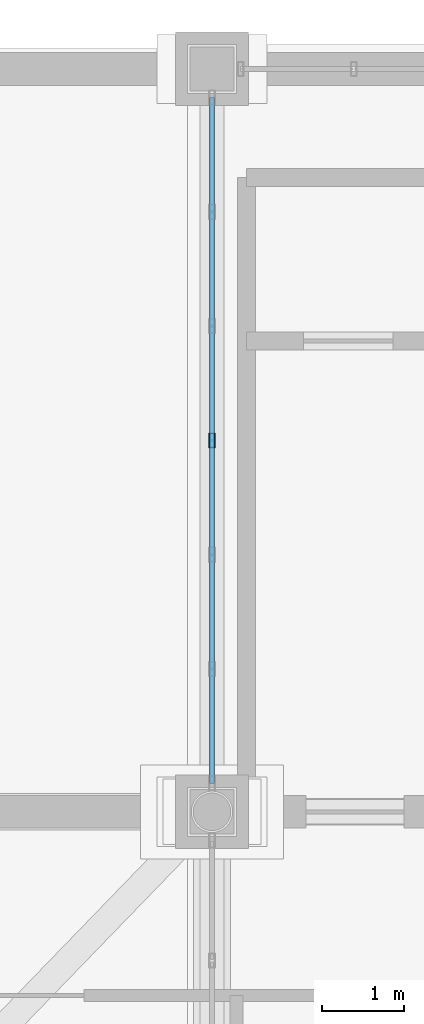
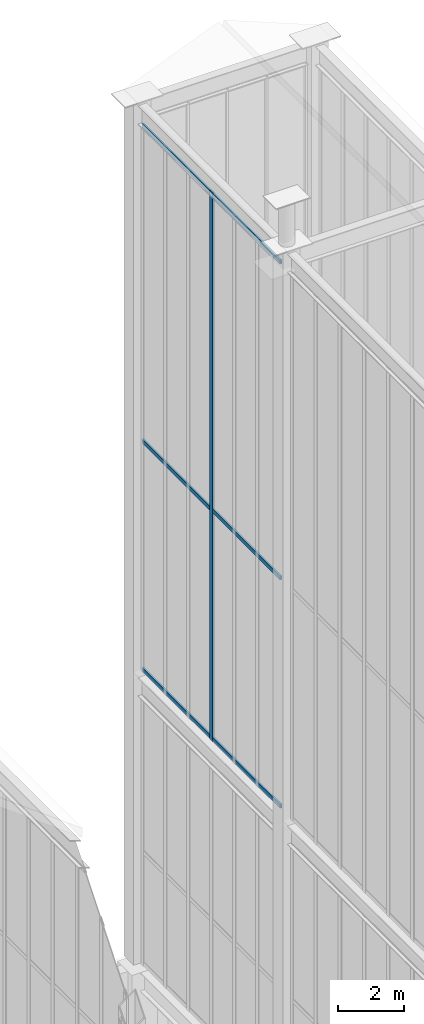
# One storey, part 93 of 135: 4 members, 1 element without a shape of its own.
"""IFC4 building model written with IfcOpenShell, lengths in metres."""

from ifc_helpers import new_model, si_unit, direction, frame, origin, origin_2d, place, context, subcontext, project, spatial, hollow_rectangle, extrude, source, transform, mapped, material, layer, layer_set, material_profile, profile_set, type_object, element, aggregate, save


model = new_model("IFC4")

# Units and contexts
model_context = context("Model", 3, precision=1e-05, world=origin(), true_north=direction((0.0, 1.0)))
body_context = subcontext(model_context, "Body", "Model", "MODEL_VIEW")
ifc_project = project(units=[si_unit("LENGTHUNIT", "METRE"), si_unit("AREAUNIT", "SQUARE_METRE"), si_unit("VOLUMEUNIT", "CUBIC_METRE"), si_unit("PLANEANGLEUNIT", "RADIAN"), si_unit("MASSUNIT", "GRAM", prefix="KILO")], contexts=[model_context])

# Site, building, storey
site_placement = place(None, origin())
site = spatial("IfcSite", under=ifc_project, at=site_placement, CompositionType="ELEMENT")
building_placement = place(site_placement, origin())
building = spatial("IfcBuilding", under=site, at=building_placement, Name="Giltprow Tower", CompositionType="ELEMENT")
storey_placement = place(building_placement, frame((0.0, 0.0, 352.699951171875)))
storey = spatial("IfcBuildingStorey", under=building, at=storey_placement, Name="L92", CompositionType="ELEMENT", Elevation=352.699951171875)

# Curtain wall, members
ifc_material = material(Name="Anodized bronze", Category="metal")
ifc_layer = layer(ifc_material, 0.179931640625, Name="Anodized bronze")
ifc_layer_set = layer_set([ifc_layer], Name="Anodized bronze")
curtain_wall_type = type_object("IfcCurtainWallType", Name="CW-CROWN-LANTERN", PredefinedType="NOTDEFINED", material=ifc_layer_set)
curtain_wall_placement = place(storey_placement, origin())
curtain_wall = element("IfcCurtainWall", 1, at=curtain_wall_placement, inside=storey, type_object=curtain_wall_type, Name="Crown East Upper Lantern Glazing 5", PredefinedType="NOTDEFINED")
ifc_material_profile_1 = material_profile(ifc_material, hollow_rectangle(XDim=0.06494140625, YDim=0.14990234375, WallThickness=0.006103515625, at=origin_2d()), Name="RHS 150x65x6")
ifc_profile_set_1 = profile_set([ifc_material_profile_1], Name="Anodized bronze")
member_type_1 = type_object("IfcMemberType", Name="CW-TRANSOM-150x65", PredefinedType="USERDEFINED", material=ifc_profile_set_1)
shared_shape_1 = source(origin(), body_context, "Body", "SweptSolid", [
    extrude(hollow_rectangle(XDim=0.06494140625, YDim=0.14990234375, WallThickness=0.006103515625, at=origin_2d()), origin(), (0.0, 0.0, 1.0), 8.39990234375),
])
member_1_placement = place(storey_placement, frame((44.300048828125, 46.199951171875, 17.340087890625), z_axis=(0.0, -1.0, 0.0), x_axis=(1.0, 0.0, 0.0)))
member_1 = element("IfcMember", 2, at=member_1_placement, type_object=member_type_1, Name="Crown East Upper Lantern Glazing 5 Transom 1", ObjectType="TRANSOM", PredefinedType="USERDEFINED", context=body_context, shape_type="MappedRepresentation", body=[
    mapped(shared_shape_1, transform((0.0, 0.0, 0.0), x_axis=(1.0, 0.0, 0.0), y_axis=(0.0, 1.0, 0.0), z_axis=(0.0, 0.0, 1.0), scale=1.0)),
])
member_2_placement = place(storey_placement, frame((44.300048828125, 46.199951171875, 25.8330078125), z_axis=(0.0, -1.0, 0.0), x_axis=(1.0, 0.0, 0.0)))
member_2 = element("IfcMember", 3, at=member_2_placement, type_object=member_type_1, Name="Crown East Upper Lantern Glazing 5 Transom 2", ObjectType="TRANSOM", PredefinedType="USERDEFINED", context=body_context, shape_type="MappedRepresentation", body=[
    mapped(shared_shape_1, transform((0.0, 0.0, 0.0), x_axis=(1.0, 0.0, 0.0), y_axis=(0.0, 1.0, 0.0), z_axis=(0.0, 0.0, 1.0), scale=1.0)),
])
member_3_placement = place(storey_placement, frame((44.300048828125, 46.199951171875, 37.575927734375), z_axis=(0.0, -1.0, 0.0), x_axis=(1.0, 0.0, 0.0)))
member_3 = element("IfcMember", 4, at=member_3_placement, type_object=member_type_1, Name="Crown East Upper Lantern Glazing 5 Transom 3", ObjectType="TRANSOM", PredefinedType="USERDEFINED", context=body_context, shape_type="MappedRepresentation", body=[
    mapped(shared_shape_1, transform((0.0, 0.0, 0.0), x_axis=(1.0, 0.0, 0.0), y_axis=(0.0, 1.0, 0.0), z_axis=(0.0, 0.0, 1.0), scale=1.0)),
])
ifc_material_profile_2 = material_profile(ifc_material, hollow_rectangle(XDim=0.074951171875, YDim=0.179931640625, WallThickness=0.008056640625, at=origin_2d()), Name="RHS 180x75x8")
ifc_profile_set_2 = profile_set([ifc_material_profile_2], Name="Anodized bronze")
member_type_2 = type_object("IfcMemberType", Name="CW-MULLION-180x75", PredefinedType="MULLION", material=ifc_profile_set_2)
shared_shape_2 = source(origin(), body_context, "Body", "SweptSolid", [
    extrude(hollow_rectangle(XDim=0.074951171875, YDim=0.179931640625, WallThickness=0.008056640625, at=origin_2d()), origin(), (0.0, 0.0, 1.0), 20.406005859375),
])
member_4_placement = place(storey_placement, frame((44.300048828125, 42.0, 17.25), z_axis=(0.0, 0.0, 1.0), x_axis=(1.0, 0.0, 0.0)))
member_4 = element("IfcMember", 5, at=member_4_placement, type_object=member_type_2, Name="Crown East Upper Lantern Glazing 5 Mullion 4", PredefinedType="MULLION", context=body_context, shape_type="MappedRepresentation", body=[
    mapped(shared_shape_2, transform((0.0, 0.0, 0.0), x_axis=(1.0, 0.0, 0.0), y_axis=(0.0, 1.0, 0.0), z_axis=(0.0, 0.0, 1.0), scale=1.0)),
])
aggregate(curtain_wall, [member_4, member_1, member_2, member_3])

save(model, "model.ifc")
